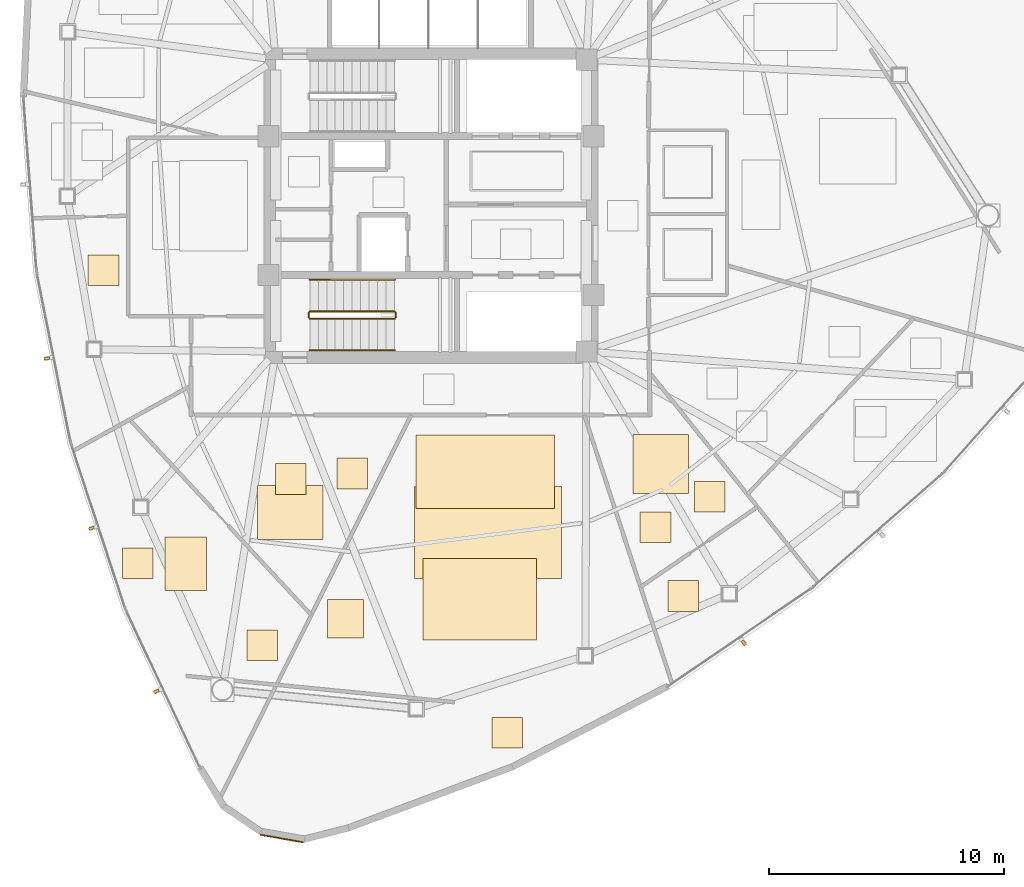
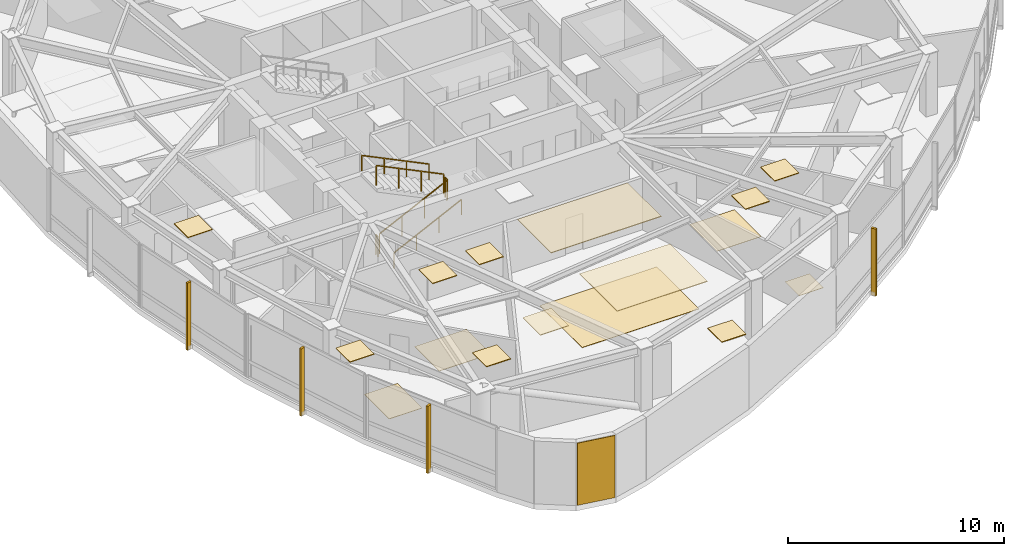
# One storey, part 14 of 17: 17 coverings, 6 railings, 4 shading devices.
"""IFC4 building model written with IfcOpenShell, lengths in metres."""

from ifc_helpers import new_model, si_unit, direction, frame, origin, origin_2d, place, context, subcontext, project, spatial, polyline, rectangle, outline, extrude, source, transform, mapped, material, layer, layer_set, type_object, type_shapes, element, save


model = new_model("IFC4")

# Units and contexts
model_context = context("Model", 3, precision=1e-05, world=origin(), true_north=direction((0.0, 1.0)))
body_context = subcontext(model_context, "Body", "Model", "MODEL_VIEW")
ifc_project = project(units=[si_unit("LENGTHUNIT", "METRE"), si_unit("AREAUNIT", "SQUARE_METRE"), si_unit("VOLUMEUNIT", "CUBIC_METRE"), si_unit("PLANEANGLEUNIT", "RADIAN"), si_unit("MASSUNIT", "GRAM", prefix="KILO")], contexts=[model_context])

# Site, building, storey
site_placement = place(None, origin())
site = spatial("IfcSite", under=ifc_project, at=site_placement, CompositionType="ELEMENT")
building_placement = place(site_placement, origin())
building = spatial("IfcBuilding", under=site, at=building_placement, Name="Tavelor Broadcast Tower", CompositionType="ELEMENT")
storey_placement = place(building_placement, frame((0.0, 0.0, 192.60009765625)))
storey = spatial("IfcBuildingStorey", under=building, at=storey_placement, Name="L46", CompositionType="ELEMENT", Elevation=192.60009765625)

# Covering
ifc_material_1 = material(Name="Copper-Bronze Anodized Aluminium", Category="aluminium")
ifc_layer_1 = layer(ifc_material_1, 0.050048828125)
ifc_layer_set_1 = layer_set([ifc_layer_1], Name="Copper-Bronze Anodized Aluminium")
covering_type_1 = type_object("IfcCoveringType", Name="Champagne-Bronze Corner Pier Metal Cladding 50 mm", PredefinedType="CLADDING", material=ifc_layer_set_1)
covering_1_placement = place(storey_placement, frame((43.65966796875, 18.10888671875, 0.02001953125), z_axis=(0.0, 0.0, 1.0), x_axis=(0.984655841422, -0.174507518327, 0.0)))
element("IfcCovering", 1, at=covering_1_placement, inside=storey, type_object=covering_type_1, Name="L46 Champagne-Bronze Corner Cladding 13", PredefinedType="CLADDING", context=body_context, shape_type="SweptSolid", body=[
    extrude(rectangle(XDim=1.8583984375, YDim=0.050048828125, at=origin_2d()), origin(), (0.0, 0.0, 1.0), 3.510009765625),
])

# Railings
ifc_material_2 = material(Name="Steel S355", Category="steel")
railing_type_1 = type_object("IfcRailingType", Name="Continuous Brushed Stainless Handrail 900 mm", PredefinedType="HANDRAIL", material=ifc_material_2)
railing_1_placement = place(storey_placement, frame((44.85009765625, 38.85009765625, 0.1748046875)))
element("IfcRailing", 2, at=railing_1_placement, inside=storey, type_object=railing_type_1, Name="L46 ST2 stair handrail 1", PredefinedType="HANDRAIL", context=body_context, shape_type="SweptSolid", body=[
    extrude(rectangle(XDim=0.048095703125, YDim=0.048095703125, at=origin_2d()), frame((0.0, 0.0, 0.8759765625), z_axis=(0.899360859046, 0.0, 0.437207096483), x_axis=(0.0, 1.0, 0.0)), (0.0, 0.0, 1.0), 4.002685546875),
    extrude(rectangle(XDim=0.0419921875, YDim=0.0419921875, at=origin_2d()), origin(), (0.0, 0.0, 1.0), 0.851806640625),
    extrude(rectangle(XDim=0.0419921875, YDim=0.0419921875, at=origin_2d()), frame((1.199951171875, 0.0, 0.583251953125)), (0.0, 0.0, 1.0), 0.851806640625),
    extrude(rectangle(XDim=0.0419921875, YDim=0.0419921875, at=origin_2d()), frame((2.39990234375, 0.0, 1.166748046875)), (0.0, 0.0, 1.0), 0.851806640625),
    extrude(rectangle(XDim=0.0419921875, YDim=0.0419921875, at=origin_2d()), frame((3.599853515625, 0.0, 1.75)), (0.0, 0.0, 1.0), 0.851806640625),
])
railing_2_placement = place(storey_placement, frame((48.449951171875, 41.85009765625, 2.099853515625)))
element("IfcRailing", 3, at=railing_2_placement, inside=storey, type_object=railing_type_1, Name="L46 ST2 stair handrail 2", PredefinedType="HANDRAIL", context=body_context, shape_type="SweptSolid", body=[
    extrude(rectangle(XDim=0.048095703125, YDim=0.048095703125, at=origin_2d()), frame((0.0, 0.0, 0.8759765625), z_axis=(-0.899360859046, 0.0, 0.437207096483), x_axis=(0.0, -1.0, 0.0)), (0.0, 0.0, 1.0), 4.002685546875),
    extrude(rectangle(XDim=0.0419921875, YDim=0.0419921875, at=origin_2d()), origin(), (0.0, 0.0, 1.0), 0.851806640625),
    extrude(rectangle(XDim=0.0419921875, YDim=0.0419921875, at=origin_2d()), frame((-1.199951171875, 0.0, 0.583251953125)), (0.0, 0.0, 1.0), 0.851806640625),
    extrude(rectangle(XDim=0.0419921875, YDim=0.0419921875, at=origin_2d()), frame((-2.39990234375, 0.0, 1.166748046875)), (0.0, 0.0, 1.0), 0.851806640625),
    extrude(rectangle(XDim=0.0419921875, YDim=0.0419921875, at=origin_2d()), frame((-3.599853515625, 0.0, 1.75)), (0.0, 0.0, 1.0), 0.851806640625),
])

# Coverings
ifc_material_3 = material(Name="Acoustic Nylon Carpet Tile")
ifc_layer_2 = layer(ifc_material_3, 0.02001953125)
ifc_layer_set_2 = layer_set([ifc_layer_2], Name="Acoustic Nylon Carpet Tile")
covering_type_2 = type_object("IfcCoveringType", Name="Heavy-Duty Acoustic Broadcast Carpet Tile 20 mm", PredefinedType="FLOORING", material=ifc_layer_set_2)
covering_2_placement = place(storey_placement, origin())
element("IfcCovering", 4, at=covering_2_placement, inside=storey, type_object=covering_type_2, Name="L46 Broadcast Floor Finish 0698", PredefinedType="FLOORING", context=body_context, shape_type="SweptSolid", body=[
    extrude(outline(polyline([(60.073486328125, 27.763916015625), (61.37353515625, 27.763916015625), (61.37353515625, 29.06396484375), (60.073486328125, 29.06396484375), (60.073486328125, 27.763916015625)])), origin(), (0.0, 0.0, 1.0), 0.02001953125),
])
covering_3_placement = place(storey_placement, origin())
element("IfcCovering", 5, at=covering_3_placement, inside=storey, type_object=covering_type_2, Name="L46 Broadcast Floor Finish 0699", PredefinedType="FLOORING", context=body_context, shape_type="SweptSolid", body=[
    extrude(outline(polyline([(49.29248046875, 29.156982421875), (55.537353515625, 29.156982421875), (55.537353515625, 33.07080078125), (49.29248046875, 33.07080078125), (49.29248046875, 29.156982421875)])), origin(), (0.0, 0.0, 1.0), 0.02001953125),
])
covering_4_placement = place(storey_placement, origin())
element("IfcCovering", 6, at=covering_4_placement, inside=storey, type_object=covering_type_2, Name="L46 Broadcast Floor Finish 0700", PredefinedType="FLOORING", context=body_context, shape_type="SweptSolid", body=[
    extrude(outline(polyline([(38.686767578125, 28.6376953125), (40.452392578125, 28.6376953125), (40.452392578125, 30.929443359375), (38.686767578125, 30.929443359375), (38.686767578125, 28.6376953125)])), origin(), (0.0, 0.0, 1.0), 0.02001953125),
])
covering_5_placement = place(storey_placement, origin())
element("IfcCovering", 7, at=covering_5_placement, inside=storey, type_object=covering_type_2, Name="L46 Broadcast Floor Finish 0706", PredefinedType="FLOORING", context=body_context, shape_type="SweptSolid", body=[
    extrude(outline(polyline([(58.58349609375, 32.769775390625), (60.946044921875, 32.769775390625), (60.946044921875, 35.269287109375), (58.58349609375, 35.269287109375), (58.58349609375, 32.769775390625)])), origin(), (0.0, 0.0, 1.0), 0.02001953125),
])
covering_6_placement = place(storey_placement, origin())
element("IfcCovering", 8, at=covering_6_placement, inside=storey, type_object=covering_type_2, Name="L46 Broadcast Floor Finish 0707", PredefinedType="FLOORING", context=body_context, shape_type="SweptSolid", body=[
    extrude(outline(polyline([(42.6298828125, 30.822509765625), (45.403076171875, 30.822509765625), (45.403076171875, 33.107421875), (42.6298828125, 33.107421875), (42.6298828125, 30.822509765625)])), origin(), (0.0, 0.0, 1.0), 0.02001953125),
])

# Railings
railing_type_2 = type_object("IfcRailingType", Name="Stairwell Steel Safety Guardrail 1150 mm", PredefinedType="GUARDRAIL", material=ifc_material_2)
railing_3_placement = place(storey_placement, frame((44.85009765625, 40.199951171875, 0.1748046875)))
element("IfcRailing", 9, at=railing_3_placement, inside=storey, type_object=railing_type_2, Name="L46 ST2 stair guard 1", PredefinedType="GUARDRAIL", context=body_context, shape_type="SweptSolid", body=[
    extrude(rectangle(XDim=0.048095703125, YDim=0.048095703125, at=origin_2d()), frame((0.0, 0.0, 1.1259765625), z_axis=(0.899360859046, 0.0, 0.437207096483), x_axis=(0.0, 1.0, 0.0)), (0.0, 0.0, 1.0), 4.002685546875),
    extrude(rectangle(XDim=0.0419921875, YDim=0.0419921875, at=origin_2d()), origin(), (0.0, 0.0, 1.0), 1.101806640625),
    extrude(rectangle(XDim=0.0419921875, YDim=0.0419921875, at=origin_2d()), frame((1.199951171875, 0.0, 0.583251953125)), (0.0, 0.0, 1.0), 1.101806640625),
    extrude(rectangle(XDim=0.0419921875, YDim=0.0419921875, at=origin_2d()), frame((2.39990234375, 0.0, 1.166748046875)), (0.0, 0.0, 1.0), 1.101806640625),
    extrude(rectangle(XDim=0.0419921875, YDim=0.0419921875, at=origin_2d()), frame((3.599853515625, 0.0, 1.75)), (0.0, 0.0, 1.0), 1.101806640625),
])
railing_4_placement = place(storey_placement, frame((48.5, 40.25, 1.9248046875)))
element("IfcRailing", 10, at=railing_4_placement, inside=storey, type_object=railing_type_2, Name="L46 ST2 stair guard 2", PredefinedType="GUARDRAIL", context=body_context, shape_type="SweptSolid", body=[
    extrude(rectangle(XDim=0.048095703125, YDim=0.048095703125, at=origin_2d()), frame((0.0, 0.0, 1.1259765625), z_axis=(0.0, 1.0, 0.0), x_axis=(-1.0, 0.0, 0.0)), (0.0, 0.0, 1.0), 0.199951171875),
    extrude(rectangle(XDim=0.0419921875, YDim=0.0419921875, at=origin_2d()), origin(), (0.0, 0.0, 1.0), 1.101806640625),
    extrude(rectangle(XDim=0.0419921875, YDim=0.0419921875, at=origin_2d()), frame((0.0, 0.199951171875, 0.0)), (0.0, 0.0, 1.0), 1.101806640625),
])
railing_5_placement = place(storey_placement, frame((48.449951171875, 40.5, 2.099853515625)))
element("IfcRailing", 11, at=railing_5_placement, inside=storey, type_object=railing_type_2, Name="L46 ST2 stair guard 3", PredefinedType="GUARDRAIL", context=body_context, shape_type="SweptSolid", body=[
    extrude(rectangle(XDim=0.048095703125, YDim=0.048095703125, at=origin_2d()), frame((0.0, 0.0, 1.1259765625), z_axis=(-0.899360859046, 0.0, 0.437207096483), x_axis=(0.0, -1.0, 0.0)), (0.0, 0.0, 1.0), 4.002685546875),
    extrude(rectangle(XDim=0.0419921875, YDim=0.0419921875, at=origin_2d()), origin(), (0.0, 0.0, 1.0), 1.101806640625),
    extrude(rectangle(XDim=0.0419921875, YDim=0.0419921875, at=origin_2d()), frame((-1.199951171875, 0.0, 0.583251953125)), (0.0, 0.0, 1.0), 1.101806640625),
    extrude(rectangle(XDim=0.0419921875, YDim=0.0419921875, at=origin_2d()), frame((-2.39990234375, 0.0, 1.166748046875)), (0.0, 0.0, 1.0), 1.101806640625),
    extrude(rectangle(XDim=0.0419921875, YDim=0.0419921875, at=origin_2d()), frame((-3.599853515625, 0.0, 1.75)), (0.0, 0.0, 1.0), 1.101806640625),
])
railing_6_placement = place(storey_placement, frame((44.800048828125, 40.25, 0.0)))
element("IfcRailing", 12, at=railing_6_placement, inside=storey, type_object=railing_type_2, Name="L46 ST2 stair guard 4", PredefinedType="GUARDRAIL", context=body_context, shape_type="SweptSolid", body=[
    extrude(rectangle(XDim=0.048095703125, YDim=0.048095703125, at=origin_2d()), frame((0.0, 0.0, 1.1259765625), z_axis=(0.0, 1.0, 0.0), x_axis=(-1.0, 0.0, 0.0)), (0.0, 0.0, 1.0), 0.199951171875),
    extrude(rectangle(XDim=0.0419921875, YDim=0.0419921875, at=origin_2d()), origin(), (0.0, 0.0, 1.0), 1.101806640625),
    extrude(rectangle(XDim=0.0419921875, YDim=0.0419921875, at=origin_2d()), frame((0.0, 0.199951171875, 0.0)), (0.0, 0.0, 1.0), 1.101806640625),
])

# Coverings
ifc_material_4 = material(Name="Acoustic Mineral Fibre Tile")
ifc_layer_3 = layer(ifc_material_4, 0.0400390625)
ifc_layer_set_3 = layer_set([ifc_layer_3], Name="Acoustic Mineral Fibre Tile")
covering_type_3 = type_object("IfcCoveringType", Name="Suspended Acoustic Mineral-Fibre Office Ceiling 40 mm", PredefinedType="CEILING", material=ifc_layer_set_3)
covering_7_placement = place(storey_placement, frame((0.0, 0.0, 3.510009765625)))
element("IfcCovering", 13, at=covering_7_placement, inside=storey, type_object=covering_type_3, Name="L46 Suspended Acoustic Ceiling 1928", PredefinedType="CEILING", context=body_context, shape_type="SweptSolid", body=[
    extrude(outline(polyline([(52.586669921875, 21.950927734375), (53.88671875, 21.950927734375), (53.88671875, 23.2509765625), (52.586669921875, 23.2509765625), (52.586669921875, 21.950927734375)])), origin(), (0.0, 0.0, 1.0), 0.039794921875),
])
covering_8_placement = place(storey_placement, frame((0.0, 0.0, 3.510009765625)))
element("IfcCovering", 14, at=covering_8_placement, inside=storey, type_object=covering_type_3, Name="L46 Suspended Acoustic Ceiling 1929", PredefinedType="CEILING", context=body_context, shape_type="SweptSolid", body=[
    extrude(outline(polyline([(49.649658203125, 26.537353515625), (54.472900390625, 26.537353515625), (54.472900390625, 30.00244140625), (49.649658203125, 30.00244140625), (49.649658203125, 26.537353515625)])), origin(), (0.0, 0.0, 1.0), 0.039794921875),
])
covering_9_placement = place(storey_placement, frame((0.0, 0.0, 3.510009765625)))
element("IfcCovering", 15, at=covering_9_placement, inside=storey, type_object=covering_type_3, Name="L46 Suspended Acoustic Ceiling 1930", PredefinedType="CEILING", context=body_context, shape_type="SweptSolid", body=[
    extrude(outline(polyline([(45.611083984375, 26.639404296875), (47.125732421875, 26.639404296875), (47.125732421875, 28.2666015625), (45.611083984375, 28.2666015625), (45.611083984375, 26.639404296875)])), origin(), (0.0, 0.0, 1.0), 0.039794921875),
])
covering_10_placement = place(storey_placement, frame((0.0, 0.0, 3.510009765625)))
element("IfcCovering", 16, at=covering_10_placement, inside=storey, type_object=covering_type_3, Name="L46 Suspended Acoustic Ceiling 1931", PredefinedType="CEILING", context=body_context, shape_type="SweptSolid", body=[
    extrude(outline(polyline([(49.35595703125, 32.136474609375), (55.2373046875, 32.136474609375), (55.2373046875, 35.248046875), (49.35595703125, 35.248046875), (49.35595703125, 32.136474609375)])), origin(), (0.0, 0.0, 1.0), 0.039794921875),
])
covering_11_placement = place(storey_placement, frame((0.0, 0.0, 3.510009765625)))
element("IfcCovering", 17, at=covering_11_placement, inside=storey, type_object=covering_type_3, Name="L46 Suspended Acoustic Ceiling 1932", PredefinedType="CEILING", context=body_context, shape_type="SweptSolid", body=[
    extrude(outline(polyline([(36.8955078125, 29.158935546875), (38.195556640625, 29.158935546875), (38.195556640625, 30.458984375), (36.8955078125, 30.458984375), (36.8955078125, 29.158935546875)])), origin(), (0.0, 0.0, 1.0), 0.039794921875),
])
covering_12_placement = place(storey_placement, frame((0.0, 0.0, 3.510009765625)))
element("IfcCovering", 18, at=covering_12_placement, inside=storey, type_object=covering_type_3, Name="L46 Suspended Acoustic Ceiling 1933", PredefinedType="CEILING", context=body_context, shape_type="SweptSolid", body=[
    extrude(outline(polyline([(42.1796875, 25.673583984375), (43.479736328125, 25.673583984375), (43.479736328125, 26.9736328125), (42.1796875, 26.9736328125), (42.1796875, 25.673583984375)])), origin(), (0.0, 0.0, 1.0), 0.039794921875),
])
covering_13_placement = place(storey_placement, frame((0.0, 0.0, 3.510009765625)))
element("IfcCovering", 19, at=covering_13_placement, inside=storey, type_object=covering_type_3, Name="L46 Suspended Acoustic Ceiling 1934", PredefinedType="CEILING", context=body_context, shape_type="SweptSolid", body=[
    extrude(outline(polyline([(35.433837890625, 41.596923828125), (36.73388671875, 41.596923828125), (36.73388671875, 42.89697265625), (35.433837890625, 42.89697265625), (35.433837890625, 41.596923828125)])), origin(), (0.0, 0.0, 1.0), 0.039794921875),
])
covering_14_placement = place(storey_placement, frame((0.0, 0.0, 3.510009765625)))
element("IfcCovering", 20, at=covering_14_placement, inside=storey, type_object=covering_type_3, Name="L46 Suspended Acoustic Ceiling 1950", PredefinedType="CEILING", context=body_context, shape_type="SweptSolid", body=[
    extrude(outline(polyline([(61.198486328125, 31.983154296875), (62.49853515625, 31.983154296875), (62.49853515625, 33.283203125), (61.198486328125, 33.283203125), (61.198486328125, 31.983154296875)])), origin(), (0.0, 0.0, 1.0), 0.039794921875),
])
covering_15_placement = place(storey_placement, frame((0.0, 0.0, 3.510009765625)))
element("IfcCovering", 21, at=covering_15_placement, inside=storey, type_object=covering_type_3, Name="L46 Suspended Acoustic Ceiling 1951", PredefinedType="CEILING", context=body_context, shape_type="SweptSolid", body=[
    extrude(outline(polyline([(58.88916015625, 30.682861328125), (60.189208984375, 30.682861328125), (60.189208984375, 31.98291015625), (58.88916015625, 31.98291015625), (58.88916015625, 30.682861328125)])), origin(), (0.0, 0.0, 1.0), 0.039794921875),
])
covering_16_placement = place(storey_placement, frame((0.0, 0.0, 3.510009765625)))
element("IfcCovering", 22, at=covering_16_placement, inside=storey, type_object=covering_type_3, Name="L46 Suspended Acoustic Ceiling 1952", PredefinedType="CEILING", context=body_context, shape_type="SweptSolid", body=[
    extrude(outline(polyline([(43.381591796875, 32.73583984375), (44.681640625, 32.73583984375), (44.681640625, 34.035888671875), (43.381591796875, 34.035888671875), (43.381591796875, 32.73583984375)])), origin(), (0.0, 0.0, 1.0), 0.039794921875),
])
covering_17_placement = place(storey_placement, frame((0.0, 0.0, 3.510009765625)))
element("IfcCovering", 23, at=covering_17_placement, inside=storey, type_object=covering_type_3, Name="L46 Suspended Acoustic Ceiling 1953", PredefinedType="CEILING", context=body_context, shape_type="SweptSolid", body=[
    extrude(outline(polyline([(46.007080078125, 32.970703125), (47.30712890625, 32.970703125), (47.30712890625, 34.270751953125), (46.007080078125, 34.270751953125), (46.007080078125, 32.970703125)])), origin(), (0.0, 0.0, 1.0), 0.039794921875),
])

# Shading devices
ifc_material_5 = material(Name="Kiln-Fired Glazed Terracotta", Category="masonry")
shading_device_type = type_object("IfcShadingDeviceType", Name="Extruded Terracotta Baguette Sun-Screen 110x240", PredefinedType="JALOUSIE", material=ifc_material_5)
shared_shape = source(origin(), body_context, "Body", "SweptSolid", [
    extrude(rectangle(XDim=0.110107421875, YDim=0.239990234375, at=origin_2d()), origin(), (0.0, 0.0, 1.0), 3.7900390625),
])
type_shapes(shading_device_type, [shared_shape])
for number, where, z_axis, x_axis, name in (
    (24, (33.672607421875, 38.505859375, -0.260009765625), (0.0, 0.0, 1.0), (0.195603833222, -0.98068299691, 0.0), "L46 Terracotta Baguette Fin 482"),
    (25, (35.57177734375, 31.292236328125, -0.260009765625), (0.0, 0.0, 1.0), (0.312832279878, -0.949808383131, 0.0), "L46 Terracotta Baguette Fin 483"),
    (26, (38.329833984375, 24.361572265625, -0.260009765625), (0.0, 0.0, 1.0), (0.425463421407, -0.904975622348, 0.0), "L46 Terracotta Baguette Fin 484"),
    (27, (63.2939453125, 26.41748046875, -0.260009765625), (0.0, 0.0, 1.0), (0.825901536471, 0.563814377303, 0.0), "L46 Terracotta Baguette Fin 485"),
):
    element("IfcShadingDevice", number, at=place(storey_placement, frame(where, z_axis=z_axis, x_axis=x_axis)), inside=storey, type_object=shading_device_type, Name=name, PredefinedType="JALOUSIE", context=body_context, shape_type="MappedRepresentation", body=[
        mapped(shared_shape, transform((0.0, 0.0, 0.0), scale=1.0)),
    ])

save(model, "model.ifc")
